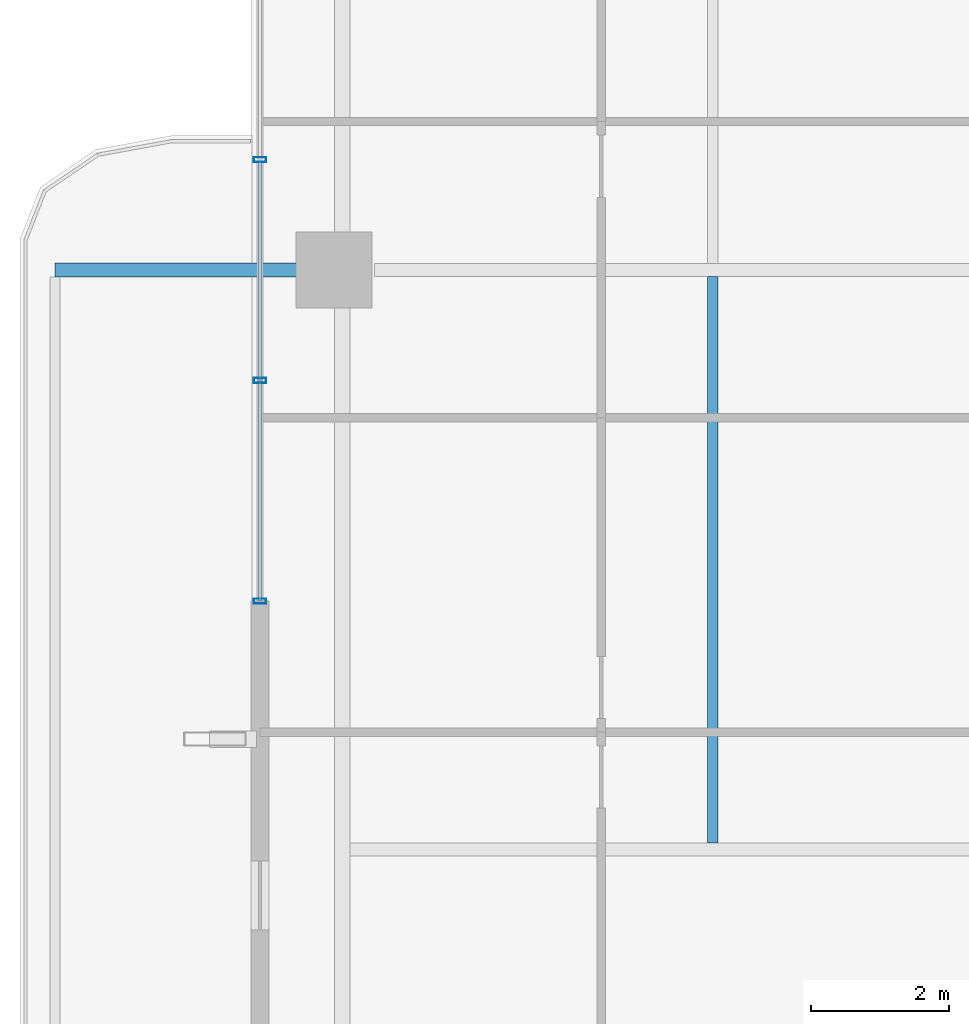
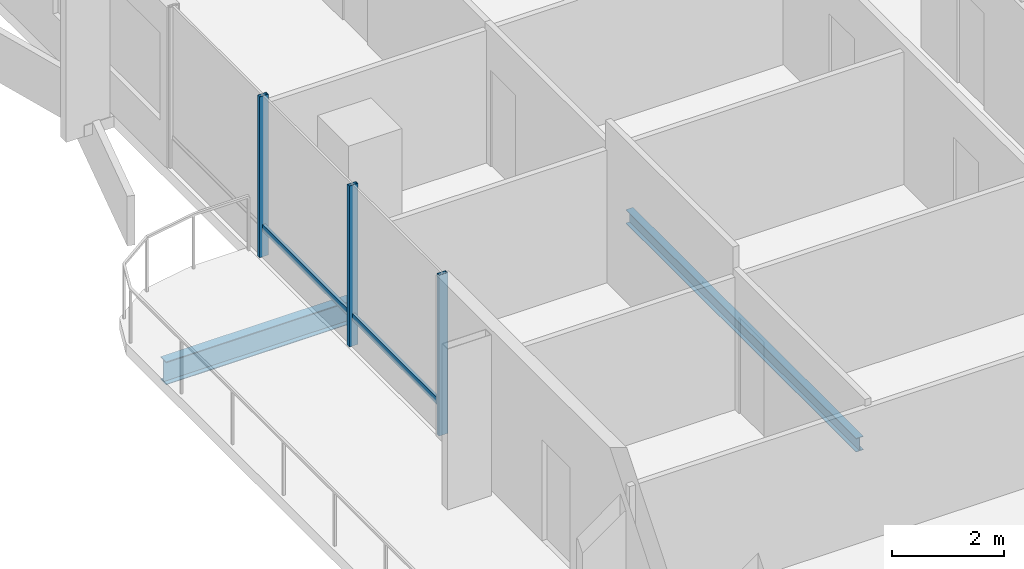
# One storey, part 5 of 29: 5 members, 2 beams, 1 element without a shape of its own.
"""IFC4 building model written with IfcOpenShell, lengths in metres."""

from ifc_helpers import new_model, si_unit, direction, frame, origin, origin_2d, place, context, subcontext, project, spatial, hollow_rectangle, i_section, extrude, material, layer, layer_set, material_profile, profile_set, type_object, element, aggregate, save


model = new_model("IFC4")

# Units and contexts
model_context = context("Model", 3, precision=1e-05, world=origin(), true_north=direction((0.0, 1.0)))
body_context = subcontext(model_context, "Body", "Model", "MODEL_VIEW")
ifc_project = project(units=[si_unit("LENGTHUNIT", "METRE"), si_unit("AREAUNIT", "SQUARE_METRE"), si_unit("VOLUMEUNIT", "CUBIC_METRE"), si_unit("PLANEANGLEUNIT", "RADIAN"), si_unit("MASSUNIT", "GRAM", prefix="KILO")], contexts=[model_context])

# Site, building, storey
site_placement = place(None, origin())
site = spatial("IfcSite", under=ifc_project, at=site_placement, CompositionType="ELEMENT")
building_placement = place(site_placement, origin())
building = spatial("IfcBuilding", under=site, at=building_placement, Name="Belovzor Exchange Tower", CompositionType="ELEMENT")
storey_placement = place(building_placement, frame((0.0, 0.0, 199.949951171875)))
storey = spatial("IfcBuildingStorey", under=building, at=storey_placement, Name="L49", CompositionType="ELEMENT", Elevation=199.949951171875)

# Beams
ifc_material_1 = material(Name="Steel S355", Category="steel")
ifc_material_profile_1 = material_profile(ifc_material_1, i_section(OverallWidth=0.199951171875, OverallDepth=0.5, WebThickness=0.01025390625, FlangeThickness=0.01611328125, at=origin_2d()))
ifc_profile_set_1 = profile_set([ifc_material_profile_1], Name="Steel S355")
beam_type_1 = type_object("IfcBeamType", Name="Planted Balcony Cantilever Beam IPE 500", PredefinedType="BEAM", material=ifc_profile_set_1)
beam_1_placement = place(storey_placement, frame((2.80810546875, 28.800048828125, -0.5), z_axis=(-1.0, 0.0, 0.0), x_axis=(0.0, -1.0, 0.0)))
element("IfcBeam", 1, at=beam_1_placement, inside=storey, type_object=beam_type_1, Name="BC-500 Planted Balcony Cantilever Beam IPE 500", PredefinedType="BEAM", context=body_context, shape_type="SweptSolid", body=[
    extrude(i_section(OverallWidth=0.199951171875, OverallDepth=0.5, WebThickness=0.01025390625, FlangeThickness=0.01611328125, at=origin_2d()), origin(), (0.0, 0.0, 1.0), 3.85009765625),
])
ifc_material_2 = material(Name="Steel S355", Category="steel")
ifc_material_profile_2 = material_profile(ifc_material_2, i_section(OverallWidth=0.14990234375, OverallDepth=0.300048828125, WebThickness=0.007080078125, FlangeThickness=0.0107421875, at=origin_2d()))
ifc_profile_set_2 = profile_set([ifc_material_profile_2], Name="Steel S355")
beam_type_2 = type_object("IfcBeamType", Name="Secondary Trim Floor Joist IPE 300", PredefinedType="BEAM", material=ifc_profile_set_2)
beam_2_placement = place(storey_placement, frame((8.49609375, 20.4951171875, -0.39990234375), z_axis=(0.0, 1.0, 0.0), x_axis=(-1.0, 0.0, 0.0)))
element("IfcBeam", 2, at=beam_2_placement, inside=storey, type_object=beam_type_2, Name="FJ-300 Secondary Trim Floor Joist IPE 300", PredefinedType="BEAM", context=body_context, shape_type="SweptSolid", body=[
    extrude(i_section(OverallWidth=0.14990234375, OverallDepth=0.300048828125, WebThickness=0.007080078125, FlangeThickness=0.0107421875, at=origin_2d()), origin(), (0.0, 0.0, 1.0), 8.2099609375),
])

# Curtain wall, members
ifc_material_3 = material(Name="Anodised Aluminium Framing", Category="aluminium")
ifc_layer = layer(ifc_material_3, 0.179931640625)
ifc_layer_set = layer_set([ifc_layer], Name="Anodised Aluminium Framing")
curtain_wall_type = type_object("IfcCurtainWallType", Name="Recessed Loggia Low-Iron Triple-Glazed Curtain Wall", PredefinedType="NOTDEFINED", material=ifc_layer_set)
curtain_wall_placement = place(storey_placement, origin())
curtain_wall = element("IfcCurtainWall", 3, at=curtain_wall_placement, inside=storey, type_object=curtain_wall_type, Name="CW3 Recessed Loggia Low-Iron Triple-Glazed Curtain Wall L49", PredefinedType="NOTDEFINED")
ifc_material_4 = material(Name="Steel S355", Category="steel")
ifc_material_profile_3 = material_profile(ifc_material_4, hollow_rectangle(XDim=0.074951171875, YDim=0.179931640625, WallThickness=0.0048828125, at=origin_2d()))
ifc_profile_set_3 = profile_set([ifc_material_profile_3], Name="Steel S355")
member_type_1 = type_object("IfcMemberType", Name="Thermally Broken Curtain Wall Mullion 180x75", PredefinedType="MULLION", material=ifc_profile_set_3)
member_1_placement = place(storey_placement, frame((1.929931640625, 24.0, 0.0), z_axis=(0.0, 0.0, 1.0), x_axis=(0.0, 1.0, 0.0)))
member_1 = element("IfcMember", 4, at=member_1_placement, type_object=member_type_1, Name="CW-M180 Curtain Wall Mullion 1", PredefinedType="MULLION", context=body_context, shape_type="SweptSolid", body=[
    extrude(hollow_rectangle(XDim=0.074951171875, YDim=0.179931640625, WallThickness=0.0048828125, at=origin_2d()), origin(), (0.0, 0.0, 1.0), 3.5),
])
member_2_placement = place(storey_placement, frame((1.929931640625, 27.199951171875, 0.0), z_axis=(0.0, 0.0, 1.0), x_axis=(0.0, 1.0, 0.0)))
member_2 = element("IfcMember", 5, at=member_2_placement, type_object=member_type_1, Name="CW-M180 Curtain Wall Mullion 2", PredefinedType="MULLION", context=body_context, shape_type="SweptSolid", body=[
    extrude(hollow_rectangle(XDim=0.074951171875, YDim=0.179931640625, WallThickness=0.0048828125, at=origin_2d()), origin(), (0.0, 0.0, 1.0), 3.5),
])
member_3_placement = place(storey_placement, frame((1.929931640625, 30.39990234375, 0.0), z_axis=(0.0, 0.0, 1.0), x_axis=(0.0, 1.0, 0.0)))
member_3 = element("IfcMember", 6, at=member_3_placement, type_object=member_type_1, Name="CW-M180 Curtain Wall Mullion 3", PredefinedType="MULLION", context=body_context, shape_type="SweptSolid", body=[
    extrude(hollow_rectangle(XDim=0.074951171875, YDim=0.179931640625, WallThickness=0.0048828125, at=origin_2d()), origin(), (0.0, 0.0, 1.0), 3.5),
])
ifc_material_5 = material(Name="Steel S355", Category="steel")
ifc_material_profile_4 = material_profile(ifc_material_5, hollow_rectangle(XDim=0.06005859375, YDim=0.14990234375, WallThickness=0.00390625, at=origin_2d()))
ifc_profile_set_4 = profile_set([ifc_material_profile_4], Name="Steel S355")
member_type_2 = type_object("IfcMemberType", Name="Thermally Broken Curtain Wall Transom 150x60", PredefinedType="USERDEFINED", material=ifc_profile_set_4)
member_4_placement = place(storey_placement, frame((1.929931640625, 24.008056640625, 0.630126953125), z_axis=(0.0, 1.0, 0.0), x_axis=(-1.0, 0.0, 0.0)))
member_4 = element("IfcMember", 7, at=member_4_placement, type_object=member_type_2, Name="CW-T150 Curtain Wall Transom 1", ObjectType="TRANSOM", PredefinedType="USERDEFINED", context=body_context, shape_type="SweptSolid", body=[
    extrude(hollow_rectangle(XDim=0.06005859375, YDim=0.14990234375, WallThickness=0.00390625, at=origin_2d()), origin(), (0.0, 0.0, 1.0), 3.183837890625),
])
member_5_placement = place(storey_placement, frame((1.929931640625, 27.2080078125, 0.630126953125), z_axis=(0.0, 1.0, 0.0), x_axis=(-1.0, 0.0, 0.0)))
member_5 = element("IfcMember", 8, at=member_5_placement, type_object=member_type_2, Name="CW-T150 Curtain Wall Transom 2", ObjectType="TRANSOM", PredefinedType="USERDEFINED", context=body_context, shape_type="SweptSolid", body=[
    extrude(hollow_rectangle(XDim=0.06005859375, YDim=0.14990234375, WallThickness=0.00390625, at=origin_2d()), origin(), (0.0, 0.0, 1.0), 3.18408203125),
])
aggregate(curtain_wall, [member_1, member_2, member_3, member_4, member_5])

save(model, "model.ifc")
